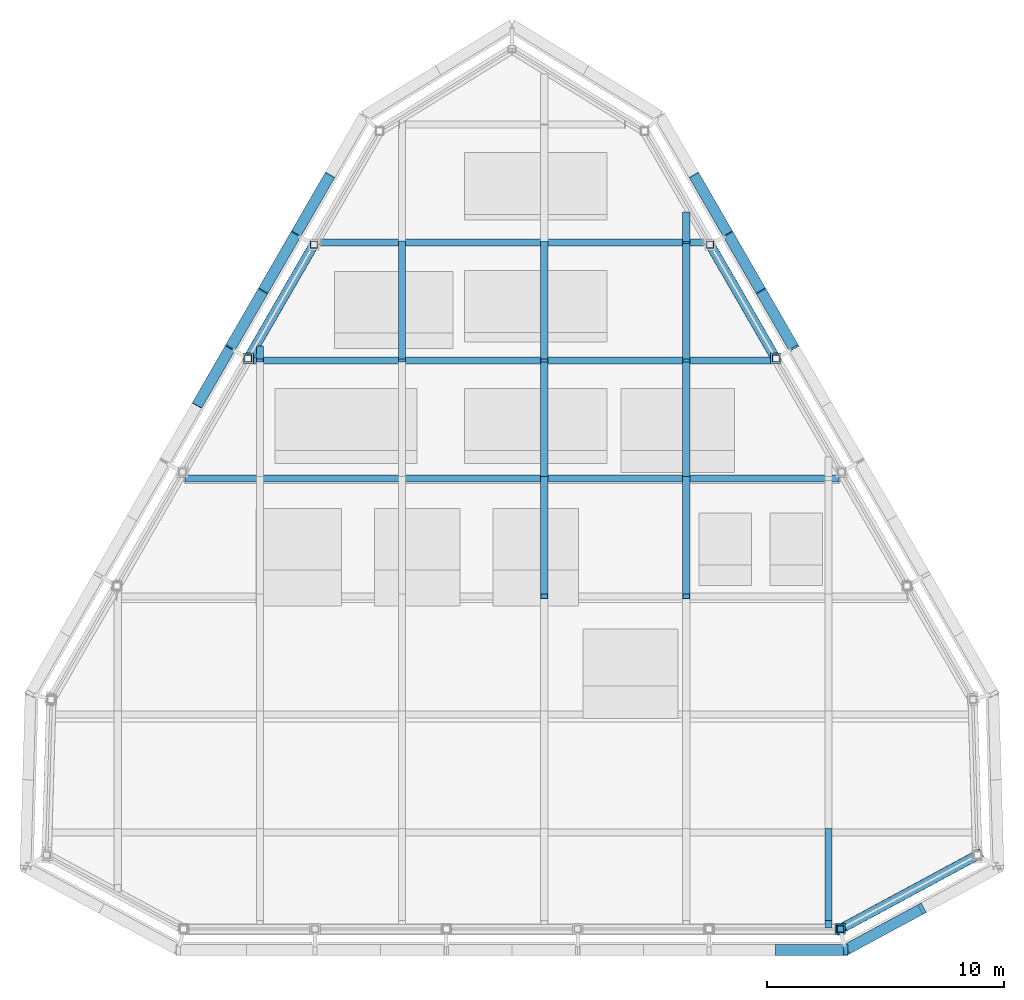
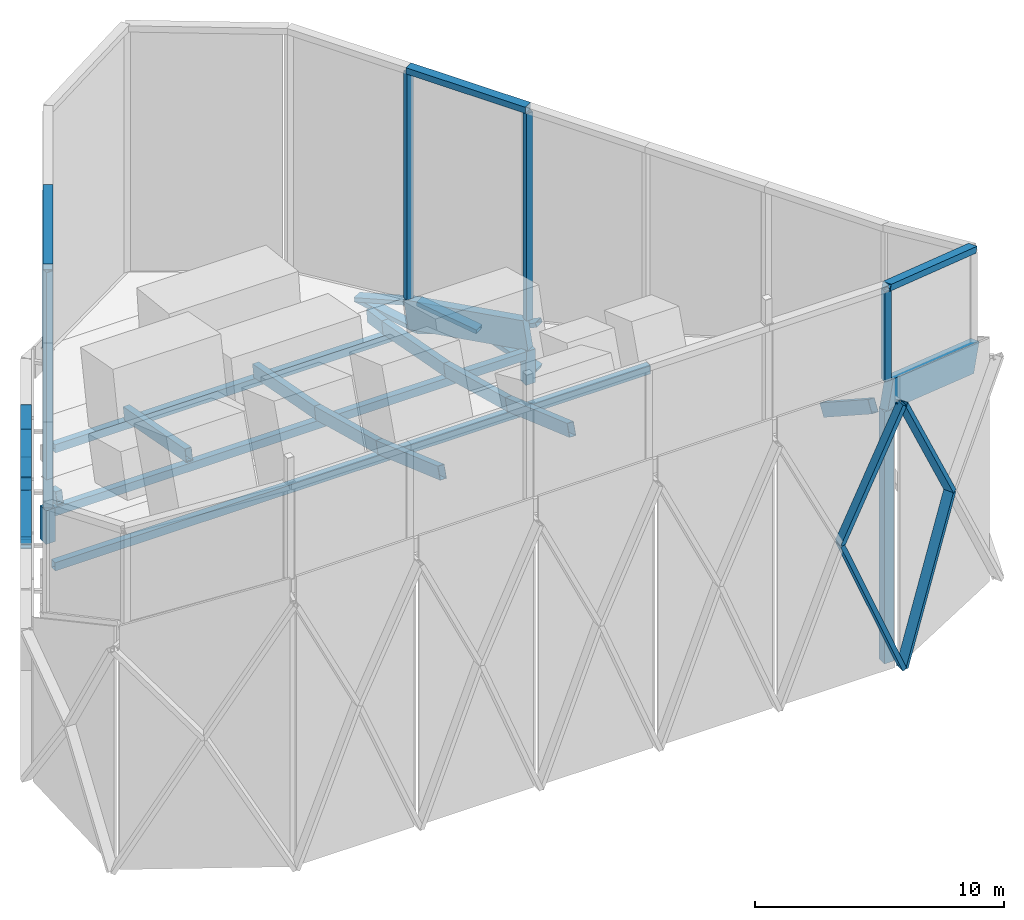
# One storey, part 3 of 13: 36 members, 9 beams.
"""IFC4 building model written with IfcOpenShell, lengths in metres."""

from ifc_helpers import new_model, si_unit, direction, frame, origin, origin_2d, place, context, subcontext, project, spatial, rectangle, hollow_rectangle, extrude, material, material_profile, profile_set, type_object, element, save


model = new_model("IFC4")

# Units and contexts
model_context = context("Model", 3, precision=1e-05, world=origin(), true_north=direction((0.0, 1.0)))
body_context = subcontext(model_context, "Body", "Model", "MODEL_VIEW")
ifc_project = project(units=[si_unit("LENGTHUNIT", "METRE"), si_unit("AREAUNIT", "SQUARE_METRE"), si_unit("VOLUMEUNIT", "CUBIC_METRE"), si_unit("PLANEANGLEUNIT", "RADIAN"), si_unit("MASSUNIT", "GRAM", prefix="KILO")], contexts=[model_context])

# Site, building, storey
site_placement = place(None, origin())
site = spatial("IfcSite", under=ifc_project, at=site_placement, CompositionType="ELEMENT")
building_placement = place(site_placement, origin())
building = spatial("IfcBuilding", under=site, at=building_placement, Name="Firuza Gate Tower and Library", CompositionType="ELEMENT")
storey_placement = place(building_placement, frame((0.0, 0.0, 358.0)))
storey = spatial("IfcBuildingStorey", under=building, at=storey_placement, Name="Upper roof", CompositionType="ELEMENT", Elevation=358.0)

# Beams
ifc_material_1 = material(Name="Steel S355", Category="steel")
ifc_material_profile_1 = material_profile(ifc_material_1, hollow_rectangle(XDim=0.406494140625, YDim=0.3046875, WallThickness=0.01171875, at=origin_2d()))
ifc_profile_set_1 = profile_set([ifc_material_profile_1], Name="Steel S355")
beam_type_1 = type_object("IfcBeamType", Name="Crest cap beam HSS305x406x13", PredefinedType="BEAM", material=ifc_profile_set_1)
beam_1_placement = place(storey_placement, frame((88.857177734375, 60.54248046875, 17.90625), z_axis=(0.840553985323, 0.453078147507, -0.296966647974), x_axis=(-0.474483099282, 0.880264612771, 0.0)))
element("IfcBeam", 1, at=beam_1_placement, inside=storey, type_object=beam_type_1, Name="Crest cap beam 8", PredefinedType="BEAM", context=body_context, shape_type="SweptSolid", body=[
    extrude(hollow_rectangle(XDim=0.406494140625, YDim=0.3046875, WallThickness=0.01171875, at=origin_2d()), origin(), (0.0, 0.0, 1.0), 6.881103515625),
])
for number, where, z_axis, x_axis, name in (
    (2, (86.134765625, 84.62890625, 13.00634765625), (-0.499971556956, 0.866041824761, 0.0), (-0.866041824761, -0.499971556956, 0.0), "Crest cap beam 13"),
    (3, (66.636474609375, 89.42919921875, 13.00634765625), (-0.499971556956, -0.866041824761, 0.0), (0.866041824761, -0.499971556956, 0.0), "Crest cap beam 18"),
):
    element("IfcBeam", number, at=place(storey_placement, frame(where, z_axis=z_axis, x_axis=x_axis)), inside=storey, type_object=beam_type_1, Name=name, PredefinedType="BEAM", context=body_context, shape_type="SweptSolid", body=[
        extrude(hollow_rectangle(XDim=0.406494140625, YDim=0.3046875, WallThickness=0.01171875, at=origin_2d()), origin(), (0.0, 0.0, 1.0), 5.542724609375),
    ])

# Members
ifc_material_2 = material(Name="Steel S355", Category="steel")
ifc_material_profile_2 = material_profile(ifc_material_2, hollow_rectangle(XDim=0.3046875, YDim=0.3046875, WallThickness=0.014892578125, at=origin_2d()))
ifc_profile_set_2 = profile_set([ifc_material_profile_2], Name="Steel S355")
member_type_1 = type_object("IfcMemberType", Name="Crest post HSS305x305x16", PredefinedType="POST", material=ifc_profile_set_2)
member_1_placement = place(storey_placement, frame((88.857177734375, 60.54248046875, 13.353759765625), z_axis=(0.0, 0.0, 1.0), x_axis=(1.0, 0.0, 0.0)))
element("IfcMember", 4, at=member_1_placement, inside=storey, type_object=member_type_1, Name="Crest post 8", PredefinedType="POST", context=body_context, shape_type="SweptSolid", body=[
    extrude(hollow_rectangle(XDim=0.3046875, YDim=0.3046875, WallThickness=0.014892578125, at=origin_2d()), origin(), (0.0, 0.0, 1.0), 4.405029296875),
])
for number, where, z_axis, x_axis, name in (
    (5, (83.363525390625, 89.42919921875, 1.751953125), (0.0, 0.0, 1.0), (1.0, 0.0, 0.0), "Crest post 14"),
    (6, (66.636474609375, 89.42919921875, 1.751953125), (0.0, 0.0, 1.0), (1.0, 0.0, 0.0), "Crest post 18"),
):
    element("IfcMember", number, at=place(storey_placement, frame(where, z_axis=z_axis, x_axis=x_axis)), inside=storey, type_object=member_type_1, Name=name, PredefinedType="POST", context=body_context, shape_type="SweptSolid", body=[
        extrude(hollow_rectangle(XDim=0.3046875, YDim=0.3046875, WallThickness=0.014892578125, at=origin_2d()), origin(), (0.0, 0.0, 1.0), 11.10693359375),
    ])
ifc_material_3 = material(Name="Steel S355", Category="steel")
ifc_material_profile_3 = material_profile(ifc_material_3, hollow_rectangle(XDim=0.457275390625, YDim=0.203125, WallThickness=0.01171875, at=origin_2d()))
ifc_profile_set_3 = profile_set([ifc_material_profile_3], Name="Steel S355")
member_type_2 = type_object("IfcMemberType", Name="Crown lattice bar HSS203x457x13", PredefinedType="BRACE", material=ifc_profile_set_3)
member_2_placement = place(storey_placement, frame((86.196533203125, 59.663818359375, 6.779541015625), z_axis=(0.377077734206, 0.0, -0.926181614137), x_axis=(0.0, 1.0, 0.0)))
element("IfcMember", 7, at=member_2_placement, inside=storey, type_object=member_type_2, Name="Crown lattice band bar 7.1b", PredefinedType="BRACE", context=body_context, shape_type="SweptSolid", body=[
    extrude(hollow_rectangle(XDim=0.457275390625, YDim=0.203125, WallThickness=0.01171875, at=origin_2d()), origin(), (0.0, 0.0, 1.0), 7.643798828125),
])
member_3_placement = place(storey_placement, frame((86.196533203125, 59.663818359375, 6.779541015625), z_axis=(0.440499893541, 0.0, 0.897752662926), x_axis=(0.0, 1.0, 0.0)))
element("IfcMember", 8, at=member_3_placement, inside=storey, type_object=member_type_2, Name="Crown lattice band bar 7.2b", PredefinedType="BRACE", context=body_context, shape_type="SweptSolid", body=[
    extrude(hollow_rectangle(XDim=0.457275390625, YDim=0.203125, WallThickness=0.01171875, at=origin_2d()), origin(), (0.0, 0.0, 1.0), 6.543212890625),
])
member_4_placement = place(storey_placement, frame((89.078857421875, 59.663818359375, -0.300048828125), z_axis=(0.432063046, 0.232908219911, 0.871249267075), x_axis=(-0.474508656304, 0.880250836462, 0.0)))
element("IfcMember", 9, at=member_4_placement, inside=storey, type_object=member_type_2, Name="Crown lattice band bar 8.1a", PredefinedType="BRACE", context=body_context, shape_type="SweptSolid", body=[
    extrude(hollow_rectangle(XDim=0.457275390625, YDim=0.203125, WallThickness=0.01171875, at=origin_2d()), origin(), (0.0, 0.0, 1.0), 7.4716796875),
])
member_5_placement = place(storey_placement, frame((89.078857421875, 59.663818359375, 12.65380859375), z_axis=(0.435393176564, 0.234703362516, -0.869107078228), x_axis=(-0.474508656304, 0.880250836462, 0.0)))
element("IfcMember", 10, at=member_5_placement, inside=storey, type_object=member_type_2, Name="Crown lattice band bar 8.2a", PredefinedType="BRACE", context=body_context, shape_type="SweptSolid", body=[
    extrude(hollow_rectangle(XDim=0.457275390625, YDim=0.203125, WallThickness=0.01171875, at=origin_2d()), origin(), (0.0, 0.0, 1.0), 7.41455078125),
])
for number, where, z_axis, x_axis, name in (
    (11, (86.895751953125, 85.068115234375, -0.300048828125), (-0.473169803136, 0.819544104058, 0.323199317611), (-0.86602275259, -0.500004591975, 0.0), "Crown lattice band bar 13.1a"),
    (12, (85.510009765625, 87.46826171875, 0.646484375), (-0.473169803136, 0.819544104058, -0.323199317611), (-0.86602275259, -0.500004591975, 0.0), "Crown lattice band bar 13.1b"),
):
    element("IfcMember", number, at=place(storey_placement, frame(where, z_axis=z_axis, x_axis=x_axis)), inside=storey, type_object=member_type_2, Name=name, PredefinedType="BRACE", context=body_context, shape_type="SweptSolid", body=[
        extrude(hollow_rectangle(XDim=0.457275390625, YDim=0.203125, WallThickness=0.01171875, at=origin_2d()), origin(), (0.0, 0.0, 1.0), 2.9287109375),
    ])
member_6_placement = place(storey_placement, frame((86.895751953125, 85.068115234375, 1.952880859375), z_axis=(-0.452276317753, 0.783355968962, -0.426379594132), x_axis=(-0.86602275259, -0.500004591975, 0.0)))
element("IfcMember", 13, at=member_6_placement, inside=storey, type_object=member_type_2, Name="Crown lattice band bar 13.2a", PredefinedType="BRACE", context=body_context, shape_type="SweptSolid", body=[
    extrude(hollow_rectangle(XDim=0.457275390625, YDim=0.203125, WallThickness=0.01171875, at=origin_2d()), origin(), (0.0, 0.0, 1.0), 3.06396484375),
])
member_7_placement = place(storey_placement, frame((85.510009765625, 87.46826171875, 0.646484375), z_axis=(-0.494736655513, 0.856898530716, 0.144777587175), x_axis=(-0.86602275259, -0.500004591975, 0.0)))
element("IfcMember", 14, at=member_7_placement, inside=storey, type_object=member_type_2, Name="Crown lattice band bar 13.2b", PredefinedType="BRACE", context=body_context, shape_type="SweptSolid", body=[
    extrude(hollow_rectangle(XDim=0.457275390625, YDim=0.203125, WallThickness=0.01171875, at=origin_2d()), origin(), (0.0, 0.0, 1.0), 2.801025390625),
])
member_8_placement = place(storey_placement, frame((84.124267578125, 89.868408203125, -0.300048828125), z_axis=(-0.491208319453, 0.850773142145, 0.186813938196), x_axis=(-0.866019137337, -0.500010853648, 0.0)))
element("IfcMember", 15, at=member_8_placement, inside=storey, type_object=member_type_2, Name="Crown lattice band bar 14.1a", PredefinedType="BRACE", context=body_context, shape_type="SweptSolid", body=[
    extrude(hollow_rectangle(XDim=0.457275390625, YDim=0.203125, WallThickness=0.01171875, at=origin_2d()), origin(), (0.0, 0.0, 1.0), 2.933837890625),
])
member_9_placement = place(storey_placement, frame((84.124267578125, 89.868408203125, 1.052001953125), z_axis=(-0.481625776897, 0.834176171945, -0.268675873847), x_axis=(-0.866019137337, -0.500010853648, 0.0)))
element("IfcMember", 16, at=member_9_placement, inside=storey, type_object=member_type_2, Name="Crown lattice band bar 14.2a", PredefinedType="BRACE", context=body_context, shape_type="SweptSolid", body=[
    extrude(hollow_rectangle(XDim=0.457275390625, YDim=0.203125, WallThickness=0.01171875, at=origin_2d()), origin(), (0.0, 0.0, 1.0), 2.9921875),
])
member_10_placement = place(storey_placement, frame((67.31689453125, 92.364501953125, 0.248046875), z_axis=(-0.491208319453, -0.850773142145, -0.186813938196), x_axis=(0.866019137337, -0.500010853648, 0.0)))
element("IfcMember", 17, at=member_10_placement, inside=storey, type_object=member_type_2, Name="Crown lattice band bar 17.1b", PredefinedType="BRACE", context=body_context, shape_type="SweptSolid", body=[
    extrude(hollow_rectangle(XDim=0.457275390625, YDim=0.203125, WallThickness=0.01171875, at=origin_2d()), origin(), (0.0, 0.0, 1.0), 2.933837890625),
])
member_11_placement = place(storey_placement, frame((67.31689453125, 92.364501953125, 0.248046875), z_axis=(-0.481625776897, -0.834176171945, 0.268675873847), x_axis=(0.866019137337, -0.500010853648, 0.0)))
element("IfcMember", 18, at=member_11_placement, inside=storey, type_object=member_type_2, Name="Crown lattice band bar 17.2b", PredefinedType="BRACE", context=body_context, shape_type="SweptSolid", body=[
    extrude(hollow_rectangle(XDim=0.457275390625, YDim=0.203125, WallThickness=0.01171875, at=origin_2d()), origin(), (0.0, 0.0, 1.0), 2.9921875),
])
for number, where, z_axis, x_axis, name in (
    (19, (65.875732421875, 89.868408203125, -0.300048828125), (-0.473169803136, -0.819544104058, 0.323199317611), (0.86602275259, -0.500004591975, 0.0), "Crown lattice band bar 18.1a"),
    (20, (64.489990234375, 87.46826171875, 0.646484375), (-0.473169803136, -0.819544104058, -0.323199317611), (0.86602275259, -0.500004591975, 0.0), "Crown lattice band bar 18.1b"),
):
    element("IfcMember", number, at=place(storey_placement, frame(where, z_axis=z_axis, x_axis=x_axis)), inside=storey, type_object=member_type_2, Name=name, PredefinedType="BRACE", context=body_context, shape_type="SweptSolid", body=[
        extrude(hollow_rectangle(XDim=0.457275390625, YDim=0.203125, WallThickness=0.01171875, at=origin_2d()), origin(), (0.0, 0.0, 1.0), 2.9287109375),
    ])
member_12_placement = place(storey_placement, frame((65.875732421875, 89.868408203125, 1.052001953125), z_axis=(-0.494736655513, -0.856898530716, -0.144777587175), x_axis=(0.86602275259, -0.500004591975, 0.0)))
element("IfcMember", 21, at=member_12_placement, inside=storey, type_object=member_type_2, Name="Crown lattice band bar 18.2a", PredefinedType="BRACE", context=body_context, shape_type="SweptSolid", body=[
    extrude(hollow_rectangle(XDim=0.457275390625, YDim=0.203125, WallThickness=0.01171875, at=origin_2d()), origin(), (0.0, 0.0, 1.0), 2.801025390625),
])
member_13_placement = place(storey_placement, frame((64.489990234375, 87.46826171875, 0.646484375), z_axis=(-0.452276317753, -0.783355968962, 0.426379594132), x_axis=(0.86602275259, -0.500004591975, 0.0)))
element("IfcMember", 22, at=member_13_placement, inside=storey, type_object=member_type_2, Name="Crown lattice band bar 18.2b", PredefinedType="BRACE", context=body_context, shape_type="SweptSolid", body=[
    extrude(hollow_rectangle(XDim=0.457275390625, YDim=0.203125, WallThickness=0.01171875, at=origin_2d()), origin(), (0.0, 0.0, 1.0), 3.06396484375),
])
member_14_placement = place(storey_placement, frame((63.104248046875, 85.068115234375, -0.300048828125), z_axis=(-0.436847339757, -0.756632522401, 0.486489082911), x_axis=(0.86602275259, -0.500004591975, 0.0)))
element("IfcMember", 23, at=member_14_placement, inside=storey, type_object=member_type_2, Name="Crown lattice band bar 19.1a", PredefinedType="BRACE", context=body_context, shape_type="SweptSolid", body=[
    extrude(hollow_rectangle(XDim=0.457275390625, YDim=0.203125, WallThickness=0.01171875, at=origin_2d()), origin(), (0.0, 0.0, 1.0), 3.172119140625),
])
member_15_placement = place(storey_placement, frame((63.104248046875, 85.068115234375, 1.952880859375), z_axis=(-0.484374777837, -0.838951451888, -0.248075665816), x_axis=(0.86602275259, -0.500004591975, 0.0)))
element("IfcMember", 24, at=member_15_placement, inside=storey, type_object=member_type_2, Name="Crown lattice band bar 19.2a", PredefinedType="BRACE", context=body_context, shape_type="SweptSolid", body=[
    extrude(hollow_rectangle(XDim=0.457275390625, YDim=0.203125, WallThickness=0.01171875, at=origin_2d()), origin(), (0.0, 0.0, 1.0), 2.86083984375),
])

# Beams
ifc_material_4 = material(Name="Concrete C60/75", Category="concrete")
ifc_material_profile_4 = material_profile(ifc_material_4, rectangle(XDim=0.39990234375, YDim=1.39990234375, at=origin_2d()))
ifc_profile_set_4 = profile_set([ifc_material_profile_4], Name="Concrete C60/75")
beam_type_2 = type_object("IfcBeamType", Name="Crown roof edge beam 400x1400", PredefinedType="BEAM", material=ifc_profile_set_4)
beam_2_placement = place(storey_placement, frame((88.857177734375, 60.54248046875, 12.65380859375), z_axis=(0.839485643391, 0.452502286358, -0.300841379105), x_axis=(-0.474483099282, 0.880264612771, 0.0)))
element("IfcBeam", 25, at=beam_2_placement, inside=storey, type_object=beam_type_2, Name="Crown roof edge beam 8", PredefinedType="BEAM", context=body_context, shape_type="SweptSolid", body=[
    extrude(rectangle(XDim=0.39990234375, YDim=1.39990234375, at=origin_2d()), origin(), (0.0, 0.0, 1.0), 6.889892578125),
])
for number, where, z_axis, x_axis, name in (
    (26, (86.134765625, 84.62890625, 1.952880859375), (-0.493495831279, 0.854824688099, -0.160426360446), (-0.866041824761, -0.499971556956, 0.0), "Crown roof edge beam 13"),
    (27, (66.636474609375, 89.42919921875, 1.052001953125), (-0.493495831279, -0.854824688099, 0.160426360446), (0.866041824761, -0.499971556956, 0.0), "Crown roof edge beam 18"),
):
    element("IfcBeam", number, at=place(storey_placement, frame(where, z_axis=z_axis, x_axis=x_axis)), inside=storey, type_object=beam_type_2, Name=name, PredefinedType="BEAM", context=body_context, shape_type="SweptSolid", body=[
        extrude(rectangle(XDim=0.39990234375, YDim=1.39990234375, at=origin_2d()), origin(), (0.0, 0.0, 1.0), 5.615478515625),
    ])

# Members
ifc_material_5 = material(Name="Concrete C60/75", Category="concrete")
ifc_material_profile_5 = material_profile(ifc_material_5, rectangle(XDim=0.449951171875, YDim=0.449951171875, at=origin_2d()))
ifc_profile_set_5 = profile_set([ifc_material_profile_5], Name="Concrete C60/75")
member_type_3 = type_object("IfcMemberType", Name="Crown roof post 450x450", PredefinedType="POST", material=ifc_profile_set_5)
member_16_placement = place(storey_placement, frame((88.857177734375, 60.54248046875, -0.39990234375), z_axis=(0.0, 0.0, 1.0), x_axis=(1.0, 0.0, 0.0)))
element("IfcMember", 28, at=member_16_placement, inside=storey, type_object=member_type_3, Name="Crown roof post 8", PredefinedType="POST", context=body_context, shape_type="SweptSolid", body=[
    extrude(rectangle(XDim=0.449951171875, YDim=0.449951171875, at=origin_2d()), origin(), (0.0, 0.0, 1.0), 12.353759765625),
])
for number, where, z_axis, x_axis, name in (
    (29, (86.134765625, 84.62890625, -0.39990234375), (0.0, 0.0, 1.0), (1.0, 0.0, 0.0), "Crown roof post 13"),
    (30, (63.865234375, 84.62890625, -0.39990234375), (0.0, 0.0, 1.0), (1.0, 0.0, 0.0), "Crown roof post 19"),
):
    element("IfcMember", number, at=place(storey_placement, frame(where, z_axis=z_axis, x_axis=x_axis)), inside=storey, type_object=member_type_3, Name=name, PredefinedType="POST", context=body_context, shape_type="SweptSolid", body=[
        extrude(rectangle(XDim=0.449951171875, YDim=0.449951171875, at=origin_2d()), origin(), (0.0, 0.0, 1.0), 1.65283203125),
    ])
ifc_material_6 = material(Name="Steel S355", Category="steel")
ifc_material_profile_6 = material_profile(ifc_material_6, hollow_rectangle(XDim=0.3046875, YDim=0.3046875, WallThickness=0.014892578125, at=origin_2d()))
ifc_profile_set_6 = profile_set([ifc_material_profile_6], Name="Steel S355")
member_type_4 = type_object("IfcMemberType", Name="Finial mast HSS305x305x16", PredefinedType="POST", material=ifc_profile_set_6)
for number, where, z_axis, x_axis, name in (
    (31, (86.134765625, 84.62890625, 2.69287109375), (0.0, 0.0, 1.0), (1.0, 0.0, 0.0), "Finial mast 13"),
    (32, (63.865234375, 84.62890625, 2.69287109375), (0.0, 0.0, 1.0), (1.0, 0.0, 0.0), "Finial mast 19"),
):
    element("IfcMember", number, at=place(storey_placement, frame(where, z_axis=z_axis, x_axis=x_axis)), inside=storey, type_object=member_type_4, Name=name, PredefinedType="POST", context=body_context, shape_type="SweptSolid", body=[
        extrude(hollow_rectangle(XDim=0.3046875, YDim=0.3046875, WallThickness=0.014892578125, at=origin_2d()), origin(), (0.0, 0.0, 1.0), 10.166015625),
    ])

# Beams
ifc_material_7 = material(Name="Steel S355", Category="steel")
ifc_material_profile_7 = material_profile(ifc_material_7, hollow_rectangle(XDim=0.3046875, YDim=0.406494140625, WallThickness=0.01171875, at=origin_2d()))
ifc_profile_set_7 = profile_set([ifc_material_profile_7], Name="Steel S355")
beam_type_3 = type_object("IfcBeamType", Name="Roof arc girder HSS406x305x13", PredefinedType="BEAM", material=ifc_profile_set_7)
beam_3_placement = place(storey_placement, frame((61.190185546875, 79.56103515625, 2.39111328125), z_axis=(1.0, 0.0, 0.0), x_axis=(0.0, 1.0, 0.0)))
element("IfcBeam", 33, at=beam_3_placement, inside=storey, type_object=beam_type_3, Name="Roof arc girder 5", PredefinedType="BEAM", context=body_context, shape_type="SweptSolid", body=[
    extrude(hollow_rectangle(XDim=0.3046875, YDim=0.406494140625, WallThickness=0.01171875, at=origin_2d()), origin(), (0.0, 0.0, 1.0), 27.61962890625),
])
beam_4_placement = place(storey_placement, frame((64.065185546875, 84.540771484375, 1.06005859375), z_axis=(1.0, 0.0, 0.0), x_axis=(0.0, 1.0, 0.0)))
element("IfcBeam", 34, at=beam_4_placement, inside=storey, type_object=beam_type_3, Name="Roof arc girder 6", PredefinedType="BEAM", context=body_context, shape_type="SweptSolid", body=[
    extrude(hollow_rectangle(XDim=0.3046875, YDim=0.406494140625, WallThickness=0.01171875, at=origin_2d()), origin(), (0.0, 0.0, 1.0), 21.86962890625),
])
beam_5_placement = place(storey_placement, frame((66.940185546875, 89.520263671875, 0.12548828125), z_axis=(1.0, 0.0, 0.0), x_axis=(0.0, 1.0, 0.0)))
element("IfcBeam", 35, at=beam_5_placement, inside=storey, type_object=beam_type_3, Name="Roof arc girder 7", PredefinedType="BEAM", context=body_context, shape_type="SweptSolid", body=[
    extrude(hollow_rectangle(XDim=0.3046875, YDim=0.406494140625, WallThickness=0.01171875, at=origin_2d()), origin(), (0.0, 0.0, 1.0), 16.11962890625),
])

# Members
ifc_material_8 = material(Name="Steel S355", Category="steel")
ifc_material_profile_8 = material_profile(ifc_material_8, hollow_rectangle(XDim=0.3046875, YDim=0.609619140625, WallThickness=0.01171875, at=origin_2d()))
ifc_profile_set_8 = profile_set([ifc_material_profile_8], Name="Steel S355")
member_type_5 = type_object("IfcMemberType", Name="Roof arc rib HSS610x305x13", PredefinedType="USERDEFINED", material=ifc_profile_set_8)
member_17_placement = place(storey_placement, frame((64.35888671875, 84.540771484375, 1.568115234375), z_axis=(0.0, 0.976135419313, -0.217162711263), x_axis=(-1.0, 0.0, 0.0)))
element("IfcMember", 36, at=member_17_placement, inside=storey, type_object=member_type_5, Name="Roof arc rib 2", ObjectType="ARCH RIB", PredefinedType="USERDEFINED", context=body_context, shape_type="SweptSolid", body=[
    extrude(hollow_rectangle(XDim=0.3046875, YDim=0.609619140625, WallThickness=0.01171875, at=origin_2d()), origin(), (0.0, 0.0, 1.0), 0.556396484375),
])
member_18_placement = place(storey_placement, frame((70.35888671875, 84.540771484375, 1.568115234375), z_axis=(0.0, 0.98283944006, -0.184463099458), x_axis=(-1.0, 0.0, 0.0)))
element("IfcMember", 37, at=member_18_placement, inside=storey, type_object=member_type_5, Name="Roof arc rib 3", ObjectType="ARCH RIB", PredefinedType="USERDEFINED", context=body_context, shape_type="SweptSolid", body=[
    extrude(hollow_rectangle(XDim=0.3046875, YDim=0.609619140625, WallThickness=0.01171875, at=origin_2d()), origin(), (0.0, 0.0, 1.0), 5.06640625),
])
member_19_placement = place(storey_placement, frame((76.35888671875, 74.58154296875, 4.652099609375), z_axis=(0.0, 0.943259823343, -0.332055576172), x_axis=(-1.0, 0.0, 0.0)))
element("IfcMember", 38, at=member_19_placement, inside=storey, type_object=member_type_5, Name="Roof arc rib 4", ObjectType="ARCH RIB", PredefinedType="USERDEFINED", context=body_context, shape_type="SweptSolid", body=[
    extrude(hollow_rectangle(XDim=0.3046875, YDim=0.609619140625, WallThickness=0.01171875, at=origin_2d()), origin(), (0.0, 0.0, 1.0), 5.279052734375),
])
member_20_placement = place(storey_placement, frame((76.35888671875, 79.56103515625, 2.899169921875), z_axis=(0.0, 0.966083837868, -0.258228616172), x_axis=(-1.0, 0.0, 0.0)))
element("IfcMember", 39, at=member_20_placement, inside=storey, type_object=member_type_5, Name="Roof arc rib 4", ObjectType="ARCH RIB", PredefinedType="USERDEFINED", context=body_context, shape_type="SweptSolid", body=[
    extrude(hollow_rectangle(XDim=0.3046875, YDim=0.609619140625, WallThickness=0.01171875, at=origin_2d()), origin(), (0.0, 0.0, 1.0), 5.154541015625),
])
member_21_placement = place(storey_placement, frame((76.35888671875, 84.540771484375, 1.568115234375), z_axis=(0.0, 0.98283944006, -0.184463099458), x_axis=(-1.0, 0.0, 0.0)))
element("IfcMember", 40, at=member_21_placement, inside=storey, type_object=member_type_5, Name="Roof arc rib 4", ObjectType="ARCH RIB", PredefinedType="USERDEFINED", context=body_context, shape_type="SweptSolid", body=[
    extrude(hollow_rectangle(XDim=0.3046875, YDim=0.609619140625, WallThickness=0.01171875, at=origin_2d()), origin(), (0.0, 0.0, 1.0), 5.06640625),
])
member_22_placement = place(storey_placement, frame((82.35888671875, 74.58154296875, 4.652099609375), z_axis=(0.0, 0.943259823343, -0.332055576172), x_axis=(-1.0, 0.0, 0.0)))
element("IfcMember", 41, at=member_22_placement, inside=storey, type_object=member_type_5, Name="Roof arc rib 5", ObjectType="ARCH RIB", PredefinedType="USERDEFINED", context=body_context, shape_type="SweptSolid", body=[
    extrude(hollow_rectangle(XDim=0.3046875, YDim=0.609619140625, WallThickness=0.01171875, at=origin_2d()), origin(), (0.0, 0.0, 1.0), 5.279052734375),
])
member_23_placement = place(storey_placement, frame((82.35888671875, 79.56103515625, 2.899169921875), z_axis=(0.0, 0.966083837868, -0.258228616172), x_axis=(-1.0, 0.0, 0.0)))
element("IfcMember", 42, at=member_23_placement, inside=storey, type_object=member_type_5, Name="Roof arc rib 5", ObjectType="ARCH RIB", PredefinedType="USERDEFINED", context=body_context, shape_type="SweptSolid", body=[
    extrude(hollow_rectangle(XDim=0.3046875, YDim=0.609619140625, WallThickness=0.01171875, at=origin_2d()), origin(), (0.0, 0.0, 1.0), 5.154541015625),
])
member_24_placement = place(storey_placement, frame((82.35888671875, 84.540771484375, 1.568115234375), z_axis=(0.0, 0.98283944006, -0.184463099458), x_axis=(-1.0, 0.0, 0.0)))
element("IfcMember", 43, at=member_24_placement, inside=storey, type_object=member_type_5, Name="Roof arc rib 5", ObjectType="ARCH RIB", PredefinedType="USERDEFINED", context=body_context, shape_type="SweptSolid", body=[
    extrude(hollow_rectangle(XDim=0.3046875, YDim=0.609619140625, WallThickness=0.01171875, at=origin_2d()), origin(), (0.0, 0.0, 1.0), 5.06640625),
])
member_25_placement = place(storey_placement, frame((82.35888671875, 89.520263671875, 0.633544921875), z_axis=(0.0, 0.990397498149, -0.138249034932), x_axis=(-1.0, 0.0, 0.0)))
element("IfcMember", 44, at=member_25_placement, inside=storey, type_object=member_type_5, Name="Roof arc rib 5", ObjectType="ARCH RIB", PredefinedType="USERDEFINED", context=body_context, shape_type="SweptSolid", body=[
    extrude(hollow_rectangle(XDim=0.3046875, YDim=0.609619140625, WallThickness=0.01171875, at=origin_2d()), origin(), (0.0, 0.0, 1.0), 1.260986328125),
])
member_26_placement = place(storey_placement, frame((88.35888671875, 60.742431640625, 12.1083984375), z_axis=(0.0, 0.838350793803, -0.545131127831), x_axis=(-1.0, 0.0, 0.0)))
element("IfcMember", 45, at=member_26_placement, inside=storey, type_object=member_type_5, Name="Roof arc rib 6", ObjectType="ARCH RIB", PredefinedType="USERDEFINED", context=body_context, shape_type="SweptSolid", body=[
    extrude(hollow_rectangle(XDim=0.3046875, YDim=0.609619140625, WallThickness=0.01171875, at=origin_2d()), origin(), (0.0, 0.0, 1.0), 4.627685546875),
])

save(model, "model.ifc")
